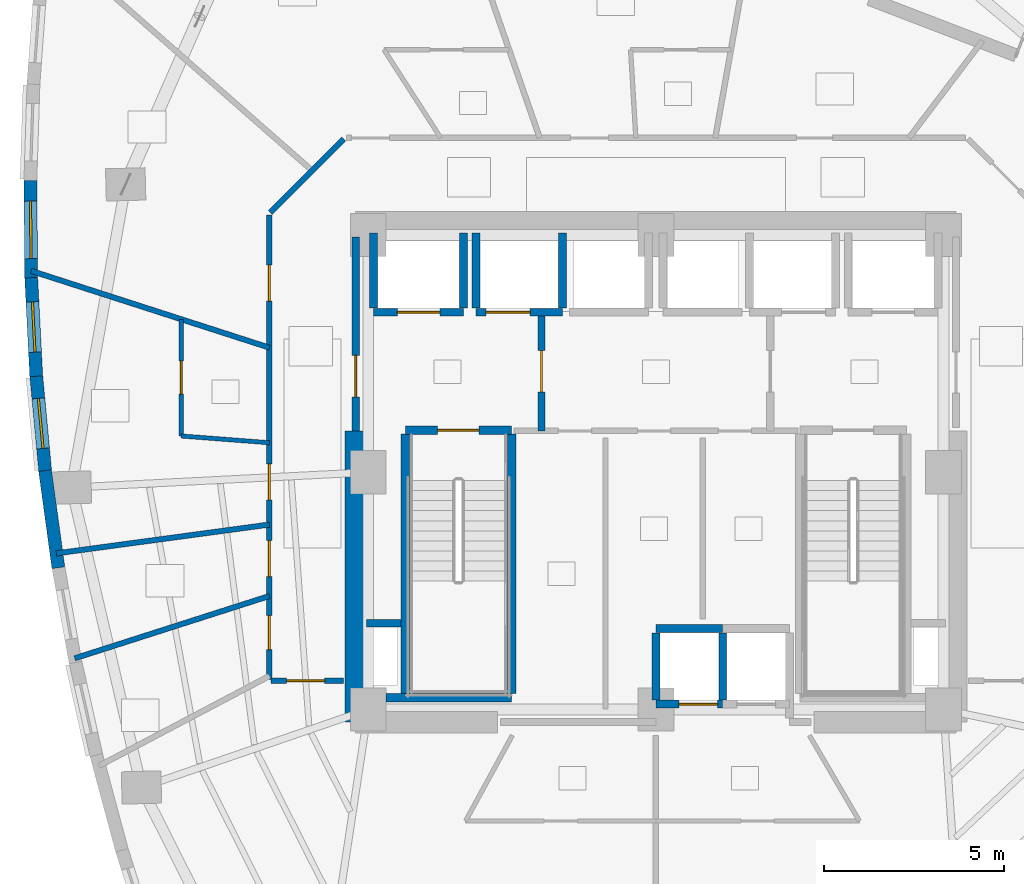
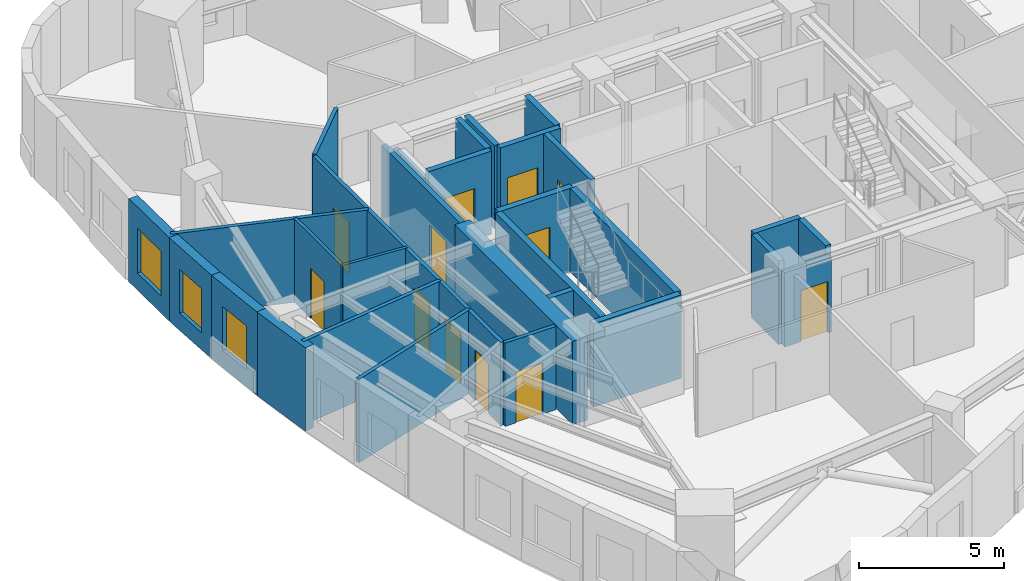
# One storey, part 7 of 13: 30 walls, 12 doors, 3 windows, 15 openings.
"""IFC4 building model written with IfcOpenShell, lengths in metres."""

from ifc_helpers import new_model, si_unit, direction, frame, frame_2d, origin, place, context, subcontext, project, spatial, rectangle, extrude, material, layer, layer_set, type_object, element, fill, save


model = new_model("IFC4")

# Units and contexts
model_context = context("Model", 3, precision=1e-05, world=origin(), true_north=direction((0.0, 1.0)))
body_context = subcontext(model_context, "Body", "Model", "MODEL_VIEW")
ifc_project = project(units=[si_unit("LENGTHUNIT", "METRE"), si_unit("AREAUNIT", "SQUARE_METRE"), si_unit("VOLUMEUNIT", "CUBIC_METRE"), si_unit("PLANEANGLEUNIT", "RADIAN"), si_unit("MASSUNIT", "GRAM", prefix="KILO")], contexts=[model_context])

# Site, building, storey
site_placement = place(None, origin())
site = spatial("IfcSite", under=ifc_project, at=site_placement, CompositionType="ELEMENT")
building_placement = place(site_placement, origin())
building = spatial("IfcBuilding", under=site, at=building_placement, Name="Ndelora Gate Hotel", CompositionType="ELEMENT")
storey_placement = place(building_placement, frame((0.0, 0.0, 157.25)))
storey = spatial("IfcBuildingStorey", under=building, at=storey_placement, Name="L39", CompositionType="ELEMENT", Elevation=157.25)

# Wall, opening, window
ifc_material_1 = material(Name="Clay Brick Masonry", Category="masonry")
ifc_layer_1 = layer(ifc_material_1, 0.360107421875)
ifc_layer_set_1 = layer_set([ifc_layer_1], Name="Clay Brick Masonry")
wall_type_1 = type_object("IfcWallType", Name="WL-BRICK-360", PredefinedType="SOLIDWALL", material=ifc_layer_set_1)
wall_1_placement = place(storey_placement, frame((-17.373779296875, 5.3603515625, 0.0), z_axis=(0.0, 0.0, 1.0), x_axis=(-0.009381778629, 0.999955990146, 0.0)))
wall_1 = element("IfcWall", 1, at=wall_1_placement, inside=storey, type_object=wall_type_1, Name="L39 Tower Brick Pier-and-Spandrel Wall TWR-11", PredefinedType="SOLIDWALL", context=body_context, shape_type="SweptSolid", body=[
    extrude(rectangle(XDim=2.75830078125, YDim=0.360107421875, at=frame_2d((1.379150390625, 0.0))), origin(), (0.0, 0.0, 1.0), 3.5),
])
opening_1_placement = place(wall_1_placement, frame((0.5791015625, 0.0, 0.719970703125)))
opening_1 = element("IfcOpeningElement", 2, at=opening_1_placement, cuts=wall_1, Name="Opening W01", PredefinedType="OPENING", context=body_context, shape_type="SweptSolid", body=[
    extrude(rectangle(XDim=1.60009765625, YDim=1.8798828125, at=frame_2d((0.800048828125, 0.93994140625))), frame((0.0, 0.18994140625, 0.0), z_axis=(0.0, -1.0, 0.0), x_axis=(1.0, 0.0, 0.0)), (0.0, 0.0, 1.0), 0.380126953125),
])
ifc_material_2 = material(Name="Insulated Low-E Double Glazing in Bronze Aluminium Frame", Category="aluminium")
window_type_1 = type_object("IfcWindowType", Name="WN-DEEP-1600", PartitioningType="SINGLE_PANEL", PredefinedType="WINDOW", material=ifc_material_2)
window_1_placement = place(opening_1_placement, origin())
window_1 = element("IfcWindow", 3, at=window_1_placement, inside=storey, type_object=window_type_1, Name="L39 Deep-Set Brick-Pier Window W01", OverallHeight=1.8798828125, OverallWidth=1.60009765625, PartitioningType="SINGLE_PANEL", PredefinedType="WINDOW", context=body_context, shape_type="SweptSolid", body=[
    extrude(rectangle(XDim=1.60009765625, YDim=1.8798828125, at=frame_2d((0.800048828125, 0.93994140625))), frame((0.0, 0.030029296875, 0.0), z_axis=(0.0, -1.0, 0.0), x_axis=(1.0, 0.0, 0.0)), (0.0, 0.0, 1.0), 0.06005859375),
])
fill(opening_1, window_1)

wall_2_placement = place(storey_placement, frame((-17.23486328125, 2.669921875, 0.0), z_axis=(0.0, 0.0, 1.0), x_axis=(-0.051157869298, 0.998690578913, 0.0)))
wall_2 = element("IfcWall", 4, at=wall_2_placement, inside=storey, type_object=wall_type_1, Name="L39 Tower Brick Pier-and-Spandrel Wall TWR-12", PredefinedType="SOLIDWALL", context=body_context, shape_type="SweptSolid", body=[
    extrude(rectangle(XDim=2.744140625, YDim=0.360107421875, at=frame_2d((1.3720703125, 0.0))), origin(), (0.0, 0.0, 1.0), 3.5),
])
opening_2_placement = place(wall_2_placement, frame((0.672119140625, 0.0, 0.719970703125)))
opening_2 = element("IfcOpeningElement", 5, at=opening_2_placement, cuts=wall_2, Name="Opening W02", PredefinedType="OPENING", context=body_context, shape_type="SweptSolid", body=[
    extrude(rectangle(XDim=1.39990234375, YDim=1.840087890625, at=frame_2d((0.699951171875, 0.919921875))), frame((0.0, 0.18994140625, 0.0), z_axis=(0.0, -1.0, 0.0), x_axis=(1.0, 0.0, 0.0)), (0.0, 0.0, 1.0), 0.380126953125),
])
window_type_2 = type_object("IfcWindowType", Name="WN-DEEP-1400", PartitioningType="SINGLE_PANEL", PredefinedType="WINDOW", material=ifc_material_2)
window_2_placement = place(opening_2_placement, origin())
window_2 = element("IfcWindow", 6, at=window_2_placement, inside=storey, type_object=window_type_2, Name="L39 Deep-Set Brick-Pier Window W02", OverallHeight=1.840087890625, OverallWidth=1.39990234375, PartitioningType="SINGLE_PANEL", PredefinedType="WINDOW", context=body_context, shape_type="SweptSolid", body=[
    extrude(rectangle(XDim=1.39990234375, YDim=1.840087890625, at=frame_2d((0.699951171875, 0.919921875))), frame((0.0, 0.030029296875, 0.0), z_axis=(0.0, -1.0, 0.0), x_axis=(1.0, 0.0, 0.0)), (0.0, 0.0, 1.0), 0.06005859375),
])
fill(opening_2, window_2)

wall_3_placement = place(storey_placement, frame((-16.9833984375, -0.002685546875, 0.0), z_axis=(0.0, 0.0, 1.0), x_axis=(-0.09321624124, 0.995645887035, 0.0)))
wall_3 = element("IfcWall", 7, at=wall_3_placement, inside=storey, type_object=wall_type_1, Name="L39 Tower Brick Pier-and-Spandrel Wall TWR-13", PredefinedType="SOLIDWALL", context=body_context, shape_type="SweptSolid", body=[
    extrude(rectangle(XDim=2.734375, YDim=0.360107421875, at=frame_2d((1.3671875, 0.0))), origin(), (0.0, 0.0, 1.0), 3.5),
])
opening_3_placement = place(wall_3_placement, frame((0.667236328125, 0.0, 0.719970703125)))
opening_3 = element("IfcOpeningElement", 8, at=opening_3_placement, cuts=wall_3, Name="Opening W02", PredefinedType="OPENING", context=body_context, shape_type="SweptSolid", body=[
    extrude(rectangle(XDim=1.39990234375, YDim=1.840087890625, at=frame_2d((0.699951171875, 0.919921875))), frame((0.0, 0.18994140625, 0.0), z_axis=(0.0, -1.0, 0.0), x_axis=(1.0, 0.0, 0.0)), (0.0, 0.0, 1.0), 0.380126953125),
])
window_3_placement = place(opening_3_placement, origin())
window_3 = element("IfcWindow", 9, at=window_3_placement, inside=storey, type_object=window_type_2, Name="L39 Deep-Set Brick-Pier Window W02", OverallHeight=1.840087890625, OverallWidth=1.39990234375, PartitioningType="SINGLE_PANEL", PredefinedType="WINDOW", context=body_context, shape_type="SweptSolid", body=[
    extrude(rectangle(XDim=1.39990234375, YDim=1.840087890625, at=frame_2d((0.699951171875, 0.919921875))), frame((0.0, 0.030029296875, 0.0), z_axis=(0.0, -1.0, 0.0), x_axis=(1.0, 0.0, 0.0)), (0.0, 0.0, 1.0), 0.06005859375),
])
fill(opening_3, window_3)

# Walls
wall_4_placement = place(storey_placement, frame((-16.61962890625, -2.65771484375, 0.0), z_axis=(0.0, 0.0, 1.0), x_axis=(-0.135408542402, 0.99078984989, 0.0)))
element("IfcWall", 10, at=wall_4_placement, inside=storey, type_object=wall_type_1, Name="L39 Tower Brick Pier-and-Spandrel Wall TWR-14", PredefinedType="SOLIDWALL", context=body_context, shape_type="SweptSolid", body=[
    extrude(rectangle(XDim=2.729736328125, YDim=0.360107421875, at=frame_2d((1.36474609375, 0.0))), origin(), (0.0, 0.0, 1.0), 3.5),
])
ifc_material_3 = material(Name="Concrete C60/75", Category="concrete")
ifc_layer_2 = layer(ifc_material_3, 0.60009765625)
ifc_layer_set_2 = layer_set([ifc_layer_2], Name="Concrete C60/75")
wall_type_2 = type_object("IfcWallType", Name="WL-CORE-600", PredefinedType="SHEAR", material=ifc_layer_set_2)
wall_5_placement = place(storey_placement, frame((-8.35009765625, -6.949951171875, 0.0), z_axis=(0.0, 0.0, 1.0), x_axis=(0.0, 1.0, 0.0)))
element("IfcWall", 11, at=wall_5_placement, inside=storey, type_object=wall_type_2, Name="L39 Core Shear Wall W", PredefinedType="SHEAR", context=body_context, shape_type="SweptSolid", body=[
    extrude(rectangle(XDim=8.099853515625, YDim=0.60009765625, at=frame_2d((4.0498046875, 0.0))), origin(), (0.0, 0.0, 1.0), 3.5),
])

# Wall, opening, door
ifc_material_4 = material(Name="Concrete C40/50", Category="concrete")
ifc_layer_3 = layer(ifc_material_4, 0.199951171875)
ifc_layer_set_3 = layer_set([ifc_layer_3], Name="Concrete C40/50")
wall_type_3 = type_object("IfcWallType", Name="WL-FIRE-200", PredefinedType="PARTITIONING", material=ifc_layer_set_3)
wall_6_placement = place(storey_placement, frame((-3.179931640625, 1.14990234375, 0.0), z_axis=(0.0, 0.0, 1.0), x_axis=(0.0, 1.0, 0.0)))
wall_6 = element("IfcWall", 12, at=wall_6_placement, inside=storey, type_object=wall_type_3, Name="L39 Interior Wall IW-2", PredefinedType="PARTITIONING", context=body_context, shape_type="SweptSolid", body=[
    extrude(rectangle(XDim=3.300048828125, YDim=0.199951171875, at=frame_2d((1.64990234375, 0.0))), origin(), (0.0, 0.0, 1.0), 3.5),
])
opening_4_placement = place(wall_6_placement, frame((1.080078125, 0.0, 0.0)))
opening_4 = element("IfcOpeningElement", 13, at=opening_4_placement, cuts=wall_6, Name="Opening FD1", PredefinedType="OPENING", context=body_context, shape_type="SweptSolid", body=[
    extrude(rectangle(XDim=1.14990234375, YDim=2.14990234375, at=frame_2d((0.574951171875, 1.074951171875))), frame((0.0, 0.10986328125, 0.0), z_axis=(0.0, -1.0, 0.0), x_axis=(1.0, 0.0, 0.0)), (0.0, 0.0, 1.0), 0.219970703125),
])
ifc_material_5 = material(Name="Fire-Rated Timber-Veneer Steel Core", Category="steel")
door_type_1 = type_object("IfcDoorType", Name="DR-FD60", OperationType="SINGLE_SWING_LEFT", PredefinedType="DOOR", material=ifc_material_5)
door_1_placement = place(opening_4_placement, origin())
door_1 = element("IfcDoor", 14, at=door_1_placement, inside=storey, type_object=door_type_1, Name="L39 Firefighting Lobby West Door", OperationType="SINGLE_SWING_RIGHT", OverallHeight=2.14990234375, OverallWidth=1.14990234375, PredefinedType="DOOR", context=body_context, shape_type="SweptSolid", body=[
    extrude(rectangle(XDim=1.14990234375, YDim=2.14990234375, at=frame_2d((0.574951171875, 1.074951171875))), frame((0.0, 0.02490234375, 0.0), z_axis=(0.0, -1.0, 0.0), x_axis=(1.0, 0.0, 0.0)), (0.0, 0.0, 1.0), 0.050048828125),
])
fill(opening_4, door_1)

wall_7_placement = place(storey_placement, frame((-8.35009765625, 1.14990234375, 0.0), z_axis=(0.0, 0.0, 1.0), x_axis=(0.0, 1.0, 0.0)))
wall_7 = element("IfcWall", 15, at=wall_7_placement, inside=storey, type_object=wall_type_3, Name="L39 Interior Wall IW-2", PredefinedType="PARTITIONING", context=body_context, shape_type="SweptSolid", body=[
    extrude(rectangle(XDim=5.400146484375, YDim=0.199951171875, at=frame_2d((2.7001953125, 0.0))), origin(), (0.0, 0.0, 1.0), 3.5),
])
opening_5_placement = place(wall_7_placement, frame((0.949951171875, 0.0, 0.0)))
opening_5 = element("IfcOpeningElement", 16, at=opening_5_placement, cuts=wall_7, Name="Opening FD1", PredefinedType="OPENING", context=body_context, shape_type="SweptSolid", body=[
    extrude(rectangle(XDim=1.14990234375, YDim=2.14990234375, at=frame_2d((0.574951171875, 1.074951171875))), frame((0.0, 0.10986328125, 0.0), z_axis=(0.0, -1.0, 0.0), x_axis=(1.0, 0.0, 0.0)), (0.0, 0.0, 1.0), 0.219970703125),
])
door_2_placement = place(opening_5_placement, origin())
door_2 = element("IfcDoor", 17, at=door_2_placement, inside=storey, type_object=door_type_1, Name="L39 Firefighting Lobby West Corridor Door", OperationType="SINGLE_SWING_LEFT", OverallHeight=2.14990234375, OverallWidth=1.14990234375, PredefinedType="DOOR", context=body_context, shape_type="SweptSolid", body=[
    extrude(rectangle(XDim=1.14990234375, YDim=2.14990234375, at=frame_2d((0.574951171875, 1.074951171875))), frame((0.0, 0.02490234375, 0.0), z_axis=(0.0, -1.0, 0.0), x_axis=(1.0, 0.0, 0.0)), (0.0, 0.0, 1.0), 0.050048828125),
])
fill(opening_5, door_2)

ifc_material_6 = material(Name="Fire-Rated Gypsum Stud Partition", Category="gypsum")
ifc_layer_4 = layer(ifc_material_6, 0.14990234375)
ifc_layer_set_4 = layer_set([ifc_layer_4], Name="Fire-Rated Gypsum Stud Partition")
wall_type_4 = type_object("IfcWallType", Name="WL-PART-150", PredefinedType="PARTITIONING", material=ifc_layer_set_4)
wall_8_placement = place(storey_placement, frame((-8.68994140625, -5.800048828125, 0.0), z_axis=(0.0, 0.0, 1.0), x_axis=(-1.0, 0.0, 0.0)))
wall_8 = element("IfcWall", 18, at=wall_8_placement, inside=storey, type_object=wall_type_4, Name="L39 Interior Wall IW-5", PredefinedType="PARTITIONING", context=body_context, shape_type="SweptSolid", body=[
    extrude(rectangle(XDim=2.02001953125, YDim=0.14990234375, at=frame_2d((1.010009765625, 0.0))), origin(), (0.0, 0.0, 1.0), 3.5),
])
opening_6_placement = place(wall_8_placement, frame((0.52001953125, 0.0, 0.0)))
opening_6 = element("IfcOpeningElement", 19, at=opening_6_placement, cuts=wall_8, Name="Opening D07", PredefinedType="OPENING", context=body_context, shape_type="SweptSolid", body=[
    extrude(rectangle(XDim=1.06005859375, YDim=2.14990234375, at=frame_2d((0.530029296875, 1.074951171875))), frame((0.0, 0.0849609375, 0.0), z_axis=(0.0, -1.0, 0.0), x_axis=(1.0, 0.0, 0.0)), (0.0, 0.0, 1.0), 0.169921875),
])
ifc_material_7 = material(Name="Diplomatic Suite Acoustic Entrance Door", Category="wood")
door_type_2 = type_object("IfcDoorType", Name="DR-SUITE-1060", OperationType="SINGLE_SWING_LEFT", PredefinedType="DOOR", material=ifc_material_7)
door_3_placement = place(opening_6_placement, origin())
door_3 = element("IfcDoor", 20, at=door_3_placement, inside=storey, type_object=door_type_2, Name="L39 Club King Corner Suite 4201 Entrance Door", OperationType="SINGLE_SWING_RIGHT", OverallHeight=2.14990234375, OverallWidth=1.06005859375, PredefinedType="DOOR", context=body_context, shape_type="SweptSolid", body=[
    extrude(rectangle(XDim=1.06005859375, YDim=2.14990234375, at=frame_2d((0.530029296875, 1.074951171875))), frame((0.0, 0.02490234375, 0.0), z_axis=(0.0, -1.0, 0.0), x_axis=(1.0, 0.0, 0.0)), (0.0, 0.0, 1.0), 0.050048828125),
])
fill(opening_6, door_3)

# Wall
wall_9_placement = place(storey_placement, frame((-10.7216796875, 7.228271484375, 0.0), z_axis=(0.0, 0.0, 1.0), x_axis=(0.707106781187, 0.707106781187, 0.0)))
element("IfcWall", 21, at=wall_9_placement, inside=storey, type_object=wall_type_4, Name="L39 Interior Wall IW-5", PredefinedType="PARTITIONING", context=body_context, shape_type="SweptSolid", body=[
    extrude(rectangle(XDim=2.889892578125, YDim=0.14990234375, at=frame_2d((1.44482421875, 0.0))), origin(), (0.0, 0.0, 1.0), 3.5),
])

# Wall, openings, doors
wall_10_placement = place(storey_placement, frame((-10.75, -5.760009765625, 0.0), z_axis=(0.0, 0.0, 1.0), x_axis=(0.0, 1.0, 0.0)))
wall_10 = element("IfcWall", 22, at=wall_10_placement, inside=storey, type_object=wall_type_4, Name="L39 Interior Wall IW-5", PredefinedType="PARTITIONING", context=body_context, shape_type="SweptSolid", body=[
    extrude(rectangle(XDim=12.919921875, YDim=0.14990234375, at=frame_2d((6.4599609375, 0.0))), origin(), (0.0, 0.0, 1.0), 3.5),
])
opening_7_placement = place(wall_10_placement, frame((0.82421875, 0.0, 0.0)))
opening_7 = element("IfcOpeningElement", 23, at=opening_7_placement, cuts=wall_10, Name="Opening D05", PredefinedType="OPENING", context=body_context, shape_type="SweptSolid", body=[
    extrude(rectangle(XDim=0.949951171875, YDim=2.10009765625, at=frame_2d((0.47509765625, 1.050048828125))), frame((0.0, 0.0849609375, 0.0), z_axis=(0.0, -1.0, 0.0), x_axis=(1.0, 0.0, 0.0)), (0.0, 0.0, 1.0), 0.169921875),
])
opening_8_placement = place(wall_10_placement, frame((2.85791015625, 0.0, 0.0)))
opening_8 = element("IfcOpeningElement", 24, at=opening_8_placement, cuts=wall_10, Name="Opening D01", PredefinedType="OPENING", context=body_context, shape_type="SweptSolid", body=[
    extrude(rectangle(XDim=1.0, YDim=2.14990234375, at=frame_2d((0.5, 1.074951171875))), frame((0.0, 0.0849609375, 0.0), z_axis=(0.0, -1.0, 0.0), x_axis=(1.0, 0.0, 0.0)), (0.0, 0.0, 1.0), 0.169921875),
])
opening_9_placement = place(wall_10_placement, frame((4.992431640625, 0.0, 0.0)))
opening_9 = element("IfcOpeningElement", 25, at=opening_9_placement, cuts=wall_10, Name="Opening D01", PredefinedType="OPENING", context=body_context, shape_type="SweptSolid", body=[
    extrude(rectangle(XDim=1.0, YDim=2.14990234375, at=frame_2d((0.5, 1.074951171875))), frame((0.0, 0.0849609375, 0.0), z_axis=(0.0, -1.0, 0.0), x_axis=(1.0, 0.0, 0.0)), (0.0, 0.0, 1.0), 0.169921875),
])
opening_10_placement = place(wall_10_placement, frame((10.52294921875, 0.0, 0.0)))
opening_10 = element("IfcOpeningElement", 26, at=opening_10_placement, cuts=wall_10, Name="Opening D01", PredefinedType="OPENING", context=body_context, shape_type="SweptSolid", body=[
    extrude(rectangle(XDim=1.0, YDim=2.14990234375, at=frame_2d((0.5, 1.074951171875))), frame((0.0, 0.0849609375, 0.0), z_axis=(0.0, -1.0, 0.0), x_axis=(1.0, 0.0, 0.0)), (0.0, 0.0, 1.0), 0.169921875),
])
ifc_material_8 = material(Name="Accessible Restroom Wide-Clearance Door", Category="wood")
door_type_3 = type_object("IfcDoorType", Name="DR-ACC-950", OperationType="SINGLE_SWING_LEFT", PredefinedType="DOOR", material=ifc_material_8)
door_4_placement = place(opening_7_placement, origin())
door_4 = element("IfcDoor", 27, at=door_4_placement, inside=storey, type_object=door_type_3, Name="L39 Accessible WC Entrance Door", OperationType="SINGLE_SWING_RIGHT", OverallHeight=2.10009765625, OverallWidth=0.949951171875, PredefinedType="DOOR", context=body_context, shape_type="SweptSolid", body=[
    extrude(rectangle(XDim=0.949951171875, YDim=2.10009765625, at=frame_2d((0.47509765625, 1.050048828125))), frame((0.0, 0.02490234375, 0.0), z_axis=(0.0, -1.0, 0.0), x_axis=(1.0, 0.0, 0.0)), (0.0, 0.0, 1.0), 0.050048828125),
])
fill(opening_7, door_4)
ifc_material_9 = material(Name="Acoustic Hardwood Guest Entrance Door", Category="wood")
door_type_4 = type_object("IfcDoorType", Name="DR-COR-1000", OperationType="SINGLE_SWING_LEFT", PredefinedType="DOOR", material=ifc_material_9)
door_5_placement = place(opening_8_placement, origin())
door_5 = element("IfcDoor", 28, at=door_5_placement, inside=storey, type_object=door_type_4, Name="L39 Housekeeping and Linen Room Entrance Door", OperationType="SINGLE_SWING_LEFT", OverallHeight=2.14990234375, OverallWidth=1.0, PredefinedType="DOOR", context=body_context, shape_type="SweptSolid", body=[
    extrude(rectangle(XDim=1.0, YDim=2.14990234375, at=frame_2d((0.5, 1.074951171875))), frame((0.0, 0.02490234375, 0.0), z_axis=(0.0, -1.0, 0.0), x_axis=(1.0, 0.0, 0.0)), (0.0, 0.0, 1.0), 0.050048828125),
])
fill(opening_8, door_5)
door_6_placement = place(opening_9_placement, origin())
door_6 = element("IfcDoor", 29, at=door_6_placement, inside=storey, type_object=door_type_4, Name="L39 Club Twin Guest Room 4207 Entrance Door", OperationType="SINGLE_SWING_LEFT", OverallHeight=2.14990234375, OverallWidth=1.0, PredefinedType="DOOR", context=body_context, shape_type="SweptSolid", body=[
    extrude(rectangle(XDim=1.0, YDim=2.14990234375, at=frame_2d((0.5, 1.074951171875))), frame((0.0, 0.02490234375, 0.0), z_axis=(0.0, -1.0, 0.0), x_axis=(1.0, 0.0, 0.0)), (0.0, 0.0, 1.0), 0.050048828125),
])
fill(opening_9, door_6)
door_7_placement = place(opening_10_placement, origin())
door_7 = element("IfcDoor", 30, at=door_7_placement, inside=storey, type_object=door_type_4, Name="L39 Quiet Reading Library Entrance Door", OperationType="SINGLE_SWING_LEFT", OverallHeight=2.14990234375, OverallWidth=1.0, PredefinedType="DOOR", context=body_context, shape_type="SweptSolid", body=[
    extrude(rectangle(XDim=1.0, YDim=2.14990234375, at=frame_2d((0.5, 1.074951171875))), frame((0.0, 0.02490234375, 0.0), z_axis=(0.0, -1.0, 0.0), x_axis=(1.0, 0.0, 0.0)), (0.0, 0.0, 1.0), 0.050048828125),
])
fill(opening_10, door_7)

# Walls
wall_11_placement = place(storey_placement, frame((-10.75, 3.4658203125, 0.0), z_axis=(0.0, 0.0, 1.0), x_axis=(-0.951758183767, 0.306849082828, 0.0)))
element("IfcWall", 31, at=wall_11_placement, inside=storey, type_object=wall_type_4, Name="L39 Interior Wall IW-5", PredefinedType="PARTITIONING", context=body_context, shape_type="SweptSolid", body=[
    extrude(rectangle(XDim=6.9619140625, YDim=0.14990234375, at=frame_2d((3.48095703125, 0.0))), origin(), (0.0, 0.0, 1.0), 3.5),
])
wall_12_placement = place(storey_placement, frame((-10.75, -1.45458984375, 0.0), z_axis=(0.0, 0.0, 1.0), x_axis=(-0.990972499341, -0.134065303306, 0.0)))
element("IfcWall", 32, at=wall_12_placement, inside=storey, type_object=wall_type_4, Name="L39 Interior Wall IW-5", PredefinedType="PARTITIONING", context=body_context, shape_type="SweptSolid", body=[
    extrude(rectangle(XDim=5.978515625, YDim=0.14990234375, at=frame_2d((2.9892578125, 0.0))), origin(), (0.0, 0.0, 1.0), 3.5),
])
wall_13_placement = place(storey_placement, frame((-10.75, -3.441650390625, 0.0), z_axis=(0.0, 0.0, 1.0), x_axis=(-0.952377767895, -0.304920624457, 0.0)))
element("IfcWall", 33, at=wall_13_placement, inside=storey, type_object=wall_type_4, Name="L39 Interior Wall IW-5", PredefinedType="PARTITIONING", context=body_context, shape_type="SweptSolid", body=[
    extrude(rectangle(XDim=5.685546875, YDim=0.14990234375, at=frame_2d((2.8427734375, 0.0))), origin(), (0.0, 0.0, 1.0), 3.5),
])
ifc_layer_5 = layer(ifc_material_4, 0.219970703125)
ifc_layer_set_5 = layer_set([ifc_layer_5], Name="Concrete C40/50")
wall_type_5 = type_object("IfcWallType", Name="WL-SHAFT-220", PredefinedType="PARTITIONING", material=ifc_layer_set_5)
wall_14_placement = place(storey_placement, frame((-8.050048828125, -4.199951171875, 0.0), z_axis=(0.0, 0.0, 1.0), x_axis=(1.0, 0.0, 0.0)))
element("IfcWall", 34, at=wall_14_placement, inside=storey, type_object=wall_type_5, Name="L39 Interior Wall IW-1", PredefinedType="PARTITIONING", context=body_context, shape_type="SweptSolid", body=[
    extrude(rectangle(XDim=0.9599609375, YDim=0.219970703125, at=frame_2d((0.47998046875, 0.0))), origin(), (0.0, 0.0, 1.0), 3.5),
])

# Wall, opening, door
wall_15_placement = place(storey_placement, frame((-7.85009765625, 4.449951171875, 0.0), z_axis=(0.0, 0.0, 1.0), x_axis=(1.0, 0.0, 0.0)))
wall_15 = element("IfcWall", 35, at=wall_15_placement, inside=storey, type_object=wall_type_5, Name="L39 Interior Wall IW-1", PredefinedType="PARTITIONING", context=body_context, shape_type="SweptSolid", body=[
    extrude(rectangle(XDim=2.5, YDim=0.219970703125, at=frame_2d((1.25, 0.0))), origin(), (0.0, 0.0, 1.0), 3.5),
])
opening_11_placement = place(wall_15_placement, frame((0.659912109375, 0.0, 0.0)))
opening_11 = element("IfcOpeningElement", 36, at=opening_11_placement, cuts=wall_15, Name="Opening LD5", PredefinedType="OPENING", context=body_context, shape_type="SweptSolid", body=[
    extrude(rectangle(XDim=1.179931640625, YDim=2.14990234375, at=frame_2d((0.58984375, 1.074951171875))), frame((0.0, 0.1201171875, 0.0), z_axis=(0.0, -1.0, 0.0), x_axis=(1.0, 0.0, 0.0)), (0.0, 0.0, 1.0), 0.239990234375),
])
ifc_material_10 = material(Name="Firefighting Lift Stainless Sliding Landing Door", Category="metal")
door_type_5 = type_object("IfcDoorType", Name="DR-LD5", OperationType="DOUBLE_DOOR_SLIDING", PredefinedType="DOOR", material=ifc_material_10)
door_8_placement = place(opening_11_placement, origin())
door_8 = element("IfcDoor", 37, at=door_8_placement, inside=storey, type_object=door_type_5, Name="L39 Lift Landing Sliding Door FFL1", OperationType="DOUBLE_DOOR_SLIDING", OverallHeight=2.14990234375, OverallWidth=1.179931640625, PredefinedType="DOOR", context=body_context, shape_type="SweptSolid", body=[
    extrude(rectangle(XDim=1.179931640625, YDim=2.14990234375, at=frame_2d((0.58984375, 1.074951171875))), frame((0.0, 0.02490234375, 0.0), z_axis=(0.0, -1.0, 0.0), x_axis=(1.0, 0.0, 0.0)), (0.0, 0.0, 1.0), 0.050048828125),
])
fill(opening_11, door_8)

# Walls
wall_16_placement = place(storey_placement, frame((-7.85009765625, 4.570068359375, 0.0), z_axis=(0.0, 0.0, 1.0), x_axis=(0.0, 1.0, 0.0)))
element("IfcWall", 38, at=wall_16_placement, inside=storey, type_object=wall_type_5, Name="L39 Interior Wall IW-1", PredefinedType="PARTITIONING", context=body_context, shape_type="SweptSolid", body=[
    extrude(rectangle(XDim=2.079833984375, YDim=0.219970703125, at=frame_2d((1.0400390625, 0.0))), origin(), (0.0, 0.0, 1.0), 3.1201171875),
])
wall_17_placement = place(storey_placement, frame((-5.35009765625, 4.570068359375, 0.0), z_axis=(0.0, 0.0, 1.0), x_axis=(0.0, 1.0, 0.0)))
element("IfcWall", 39, at=wall_17_placement, inside=storey, type_object=wall_type_5, Name="L39 Interior Wall IW-1", PredefinedType="PARTITIONING", context=body_context, shape_type="SweptSolid", body=[
    extrude(rectangle(XDim=2.079833984375, YDim=0.219970703125, at=frame_2d((1.0400390625, 0.0))), origin(), (0.0, 0.0, 1.0), 3.5),
])

# Wall, opening, door
wall_18_placement = place(storey_placement, frame((-5.0, 4.449951171875, 0.0), z_axis=(0.0, 0.0, 1.0), x_axis=(1.0, 0.0, 0.0)))
wall_18 = element("IfcWall", 40, at=wall_18_placement, inside=storey, type_object=wall_type_5, Name="L39 Interior Wall IW-1", PredefinedType="PARTITIONING", context=body_context, shape_type="SweptSolid", body=[
    extrude(rectangle(XDim=2.39990234375, YDim=0.219970703125, at=frame_2d((1.199951171875, 0.0))), origin(), (0.0, 0.0, 1.0), 3.5),
])
opening_12_placement = place(wall_18_placement, frame((0.280029296875, 0.0, 0.0)))
opening_12 = element("IfcOpeningElement", 41, at=opening_12_placement, cuts=wall_18, Name="Opening LD6", PredefinedType="OPENING", context=body_context, shape_type="SweptSolid", body=[
    extrude(rectangle(XDim=1.219970703125, YDim=2.14990234375, at=frame_2d((0.60986328125, 1.074951171875))), frame((0.0, 0.1201171875, 0.0), z_axis=(0.0, -1.0, 0.0), x_axis=(1.0, 0.0, 0.0)), (0.0, 0.0, 1.0), 0.239990234375),
])
ifc_material_11 = material(Name="Heavy-Duty Service Lift Sliding Landing Door", Category="wood")
door_type_6 = type_object("IfcDoorType", Name="DR-LD6", OperationType="DOUBLE_DOOR_SLIDING", PredefinedType="DOOR", material=ifc_material_11)
door_9_placement = place(opening_12_placement, origin())
door_9 = element("IfcDoor", 42, at=door_9_placement, inside=storey, type_object=door_type_6, Name="L39 Lift Landing Sliding Door SVL1", OperationType="DOUBLE_DOOR_SLIDING", OverallHeight=2.14990234375, OverallWidth=1.219970703125, PredefinedType="DOOR", context=body_context, shape_type="SweptSolid", body=[
    extrude(rectangle(XDim=1.219970703125, YDim=2.14990234375, at=frame_2d((0.60986328125, 1.074951171875))), frame((0.0, 0.02490234375, 0.0), z_axis=(0.0, -1.0, 0.0), x_axis=(1.0, 0.0, 0.0)), (0.0, 0.0, 1.0), 0.050048828125),
])
fill(opening_12, door_9)

# Walls
for number, where, z_axis, x_axis, name in (
    (43, (-5.0, 4.570068359375, 0.0), (0.0, 0.0, 1.0), (0.0, 1.0, 0.0), "L39 Interior Wall IW-1"),
    (44, (-2.60009765625, 4.570068359375, 0.0), (0.0, 0.0, 1.0), (0.0, 1.0, 0.0), "L39 Interior Wall IW-1"),
):
    element("IfcWall", number, at=place(storey_placement, frame(where, z_axis=z_axis, x_axis=x_axis)), inside=storey, type_object=wall_type_5, Name=name, PredefinedType="PARTITIONING", context=body_context, shape_type="SweptSolid", body=[
        extrude(rectangle(XDim=2.079833984375, YDim=0.219970703125, at=frame_2d((1.0400390625, 0.0))), origin(), (0.0, 0.0, 1.0), 3.5),
    ])

# Wall, opening, door
wall_19_placement = place(storey_placement, frame((0.0, -6.449951171875, 0.0), z_axis=(0.0, 0.0, 1.0), x_axis=(1.0, 0.0, 0.0)))
wall_19 = element("IfcWall", 45, at=wall_19_placement, inside=storey, type_object=wall_type_5, Name="L39 Interior Wall IW-1", PredefinedType="PARTITIONING", context=body_context, shape_type="SweptSolid", body=[
    extrude(rectangle(XDim=1.860107421875, YDim=0.219970703125, at=frame_2d((0.93017578125, 0.0))), origin(), (0.0, 0.0, 1.0), 3.1201171875),
])
opening_13_placement = place(wall_19_placement, frame((0.639892578125, 0.0, 0.0)))
opening_13 = element("IfcOpeningElement", 46, at=opening_13_placement, cuts=wall_19, Name="Opening LD2", PredefinedType="OPENING", context=body_context, shape_type="SweptSolid", body=[
    extrude(rectangle(XDim=1.080078125, YDim=2.14990234375, at=frame_2d((0.5400390625, 1.074951171875))), frame((0.0, 0.1201171875, 0.0), z_axis=(0.0, -1.0, 0.0), x_axis=(1.0, 0.0, 0.0)), (0.0, 0.0, 1.0), 0.239990234375),
])
ifc_material_12 = material(Name="Brushed Bronze Stainless Lift Landing Door", Category="metal")
door_type_7 = type_object("IfcDoorType", Name="DR-LD2", OperationType="DOUBLE_DOOR_SLIDING", PredefinedType="DOOR", material=ifc_material_12)
door_10_placement = place(opening_13_placement, origin())
door_10 = element("IfcDoor", 47, at=door_10_placement, inside=storey, type_object=door_type_7, Name="L39 Lift Landing Sliding Door P2A", OperationType="DOUBLE_DOOR_SLIDING", OverallHeight=2.14990234375, OverallWidth=1.080078125, PredefinedType="DOOR", context=body_context, shape_type="SweptSolid", body=[
    extrude(rectangle(XDim=1.080078125, YDim=2.14990234375, at=frame_2d((0.5400390625, 1.074951171875))), frame((0.0, 0.02490234375, 0.0), z_axis=(0.0, -1.0, 0.0), x_axis=(1.0, 0.0, 0.0)), (0.0, 0.0, 1.0), 0.050048828125),
])
fill(opening_13, door_10)

# Walls
for number, where, z_axis, x_axis, name in (
    (48, (0.0, -4.35009765625, 0.0), (0.0, 0.0, 1.0), (1.0, 0.0, 0.0), "L39 Interior Wall IW-1"),
    (49, (0.0, -6.330078125, 0.0), (0.0, 0.0, 1.0), (0.0, 1.0, 0.0), "L39 Interior Wall IW-1"),
    (50, (1.860107421875, -6.330078125, 0.0), (0.0, 0.0, 1.0), (0.0, 1.0, 0.0), "L39 Interior Wall IW-1"),
):
    element("IfcWall", number, at=place(storey_placement, frame(where, z_axis=z_axis, x_axis=x_axis)), inside=storey, type_object=wall_type_5, Name=name, PredefinedType="PARTITIONING", context=body_context, shape_type="SweptSolid", body=[
        extrude(rectangle(XDim=1.860107421875, YDim=0.219970703125, at=frame_2d((0.93017578125, 0.0))), origin(), (0.0, 0.0, 1.0), 3.5),
    ])
ifc_material_13 = material(Name="Concrete C50/60", Category="concrete")
ifc_layer_6 = layer(ifc_material_13, 0.239990234375)
ifc_layer_set_6 = layer_set([ifc_layer_6], Name="Concrete C50/60")
wall_type_6 = type_object("IfcWallType", Name="WL-STAIR-240", PredefinedType="SHEAR", material=ifc_layer_set_6)
wall_20_placement = place(storey_placement, frame((-6.969970703125, -6.159912109375, 0.0), z_axis=(0.0, 0.0, 1.0), x_axis=(0.0, 1.0, 0.0)))
element("IfcWall", 51, at=wall_20_placement, inside=storey, type_object=wall_type_6, Name="L39 Stair Core Shear Wall SW-ST", PredefinedType="SHEAR", context=body_context, shape_type="SweptSolid", body=[
    extrude(rectangle(XDim=7.219970703125, YDim=0.239990234375, at=frame_2d((3.60986328125, 0.0))), origin(), (0.0, 0.0, 1.0), 3.5),
])
wall_21_placement = place(storey_placement, frame((-7.5, -6.27001953125, 0.0), z_axis=(0.0, 0.0, 1.0), x_axis=(1.0, 0.0, 0.0)))
element("IfcWall", 52, at=wall_21_placement, inside=storey, type_object=wall_type_6, Name="L39 Stair Core Shear Wall SW-ST", PredefinedType="SHEAR", context=body_context, shape_type="SweptSolid", body=[
    extrude(rectangle(XDim=3.489990234375, YDim=0.239990234375, at=frame_2d((1.7451171875, 0.0))), origin(), (0.0, 0.0, 1.0), 3.5),
])
wall_22_placement = place(storey_placement, frame((-4.010009765625, -6.159912109375, 0.0), z_axis=(0.0, 0.0, 1.0), x_axis=(0.0, 1.0, 0.0)))
element("IfcWall", 53, at=wall_22_placement, inside=storey, type_object=wall_type_6, Name="L39 Stair Core Shear Wall SW-ST", PredefinedType="SHEAR", context=body_context, shape_type="SweptSolid", body=[
    extrude(rectangle(XDim=7.219970703125, YDim=0.239990234375, at=frame_2d((3.60986328125, 0.0))), origin(), (0.0, 0.0, 1.0), 3.5),
])

# Wall, opening, door
wall_23_placement = place(storey_placement, frame((-6.969970703125, 1.169921875, 0.0), z_axis=(0.0, 0.0, 1.0), x_axis=(1.0, 0.0, 0.0)))
wall_23 = element("IfcWall", 54, at=wall_23_placement, inside=storey, type_object=wall_type_6, Name="L39 Stair Core Shear Wall SW-ST", PredefinedType="SHEAR", context=body_context, shape_type="SweptSolid", body=[
    extrude(rectangle(XDim=2.9599609375, YDim=0.239990234375, at=frame_2d((1.47998046875, 0.0))), origin(), (0.0, 0.0, 1.0), 3.5),
])
opening_14_placement = place(wall_23_placement, frame((0.89990234375, 0.0, 0.0)))
opening_14 = element("IfcOpeningElement", 55, at=opening_14_placement, cuts=wall_23, Name="Opening FD1", PredefinedType="OPENING", context=body_context, shape_type="SweptSolid", body=[
    extrude(rectangle(XDim=1.14990234375, YDim=2.14990234375, at=frame_2d((0.574951171875, 1.074951171875))), frame((0.0, 0.1298828125, 0.0), z_axis=(0.0, -1.0, 0.0), x_axis=(1.0, 0.0, 0.0)), (0.0, 0.0, 1.0), 0.260009765625),
])
door_11_placement = place(opening_14_placement, origin())
door_11 = element("IfcDoor", 56, at=door_11_placement, inside=storey, type_object=door_type_1, Name="L39 Exit Stair ST4 Door", OperationType="SINGLE_SWING_LEFT", OverallHeight=2.14990234375, OverallWidth=1.14990234375, PredefinedType="DOOR", context=body_context, shape_type="SweptSolid", body=[
    extrude(rectangle(XDim=1.14990234375, YDim=2.14990234375, at=frame_2d((0.574951171875, 1.074951171875))), frame((0.0, 0.02490234375, 0.0), z_axis=(0.0, -1.0, 0.0), x_axis=(1.0, 0.0, 0.0)), (0.0, 0.0, 1.0), 0.050048828125),
])
fill(opening_14, door_11)

# Wall
ifc_material_14 = material(Name="Moisture-Resistant Bathroom Tile Partition", Category="gypsum")
ifc_layer_7 = layer(ifc_material_14, 0.1201171875)
ifc_layer_set_7 = layer_set([ifc_layer_7], Name="Moisture-Resistant Bathroom Tile Partition")
wall_type_7 = type_object("IfcWallType", Name="WL-WET-120", PredefinedType="PARTITIONING", material=ifc_layer_set_7)
wall_24_placement = place(storey_placement, frame((-13.199951171875, 1.008544921875, 0.0), z_axis=(0.0, 0.0, 1.0), x_axis=(0.997091773564, -0.076210203321, 0.0)))
element("IfcWall", 57, at=wall_24_placement, inside=storey, type_object=wall_type_7, Name="L39 Interior Wall IW-7", PredefinedType="PARTITIONING", context=body_context, shape_type="SweptSolid", body=[
    extrude(rectangle(XDim=2.45703125, YDim=0.1201171875, at=frame_2d((1.228515625, 0.0))), origin(), (0.0, 0.0, 1.0), 3.5),
])

# Wall, opening, door
wall_25_placement = place(storey_placement, frame((-13.199951171875, 1.008544921875, 0.0), z_axis=(0.0, 0.0, 1.0), x_axis=(0.0, 1.0, 0.0)))
wall_25 = element("IfcWall", 58, at=wall_25_placement, inside=storey, type_object=wall_type_7, Name="L39 Interior Wall IW-7", PredefinedType="PARTITIONING", context=body_context, shape_type="SweptSolid", body=[
    extrude(rectangle(XDim=3.2470703125, YDim=0.1201171875, at=frame_2d((1.62353515625, 0.0))), origin(), (0.0, 0.0, 1.0), 3.5),
])
opening_15_placement = place(wall_25_placement, frame((1.16357421875, 0.0, 0.0)))
opening_15 = element("IfcOpeningElement", 59, at=opening_15_placement, cuts=wall_25, Name="Opening D03", PredefinedType="OPENING", context=body_context, shape_type="SweptSolid", body=[
    extrude(rectangle(XDim=0.919921875, YDim=2.10009765625, at=frame_2d((0.4599609375, 1.050048828125))), frame((0.0, 0.070068359375, 0.0), z_axis=(0.0, -1.0, 0.0), x_axis=(1.0, 0.0, 0.0)), (0.0, 0.0, 1.0), 0.14013671875),
])
ifc_material_15 = material(Name="Moisture-Resistant Hardwood En-Suite Door", Category="wood")
door_type_8 = type_object("IfcDoorType", Name="DR-BATH-920", OperationType="SINGLE_SWING_LEFT", PredefinedType="DOOR", material=ifc_material_15)
door_12_placement = place(opening_15_placement, origin())
door_12 = element("IfcDoor", 60, at=door_12_placement, inside=storey, type_object=door_type_8, Name="L39 En-suite Bathroom 4207 Door", OperationType="SINGLE_SWING_RIGHT", OverallHeight=2.10009765625, OverallWidth=0.919921875, PredefinedType="DOOR", context=body_context, shape_type="SweptSolid", body=[
    extrude(rectangle(XDim=0.919921875, YDim=2.10009765625, at=frame_2d((0.4599609375, 1.050048828125))), frame((0.0, 0.02490234375, 0.0), z_axis=(0.0, -1.0, 0.0), x_axis=(1.0, 0.0, 0.0)), (0.0, 0.0, 1.0), 0.050048828125),
])
fill(opening_15, door_12)

save(model, "model.ifc")
